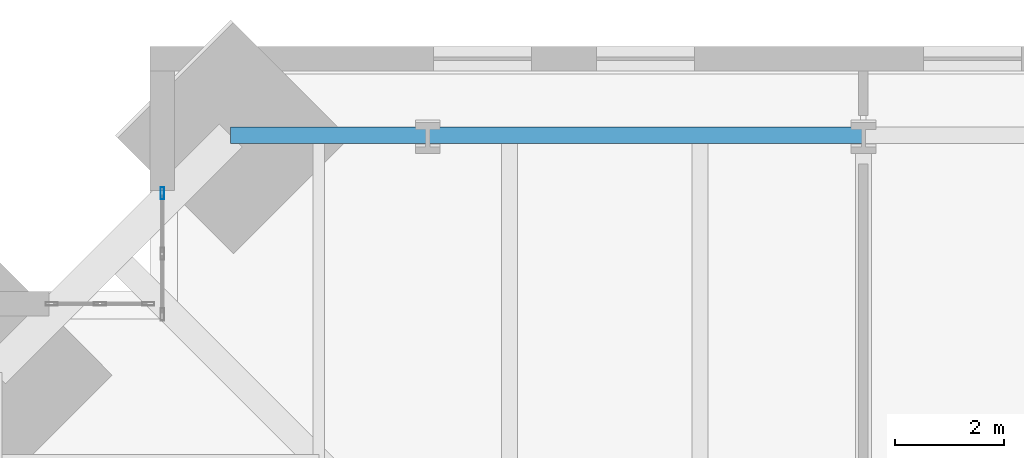
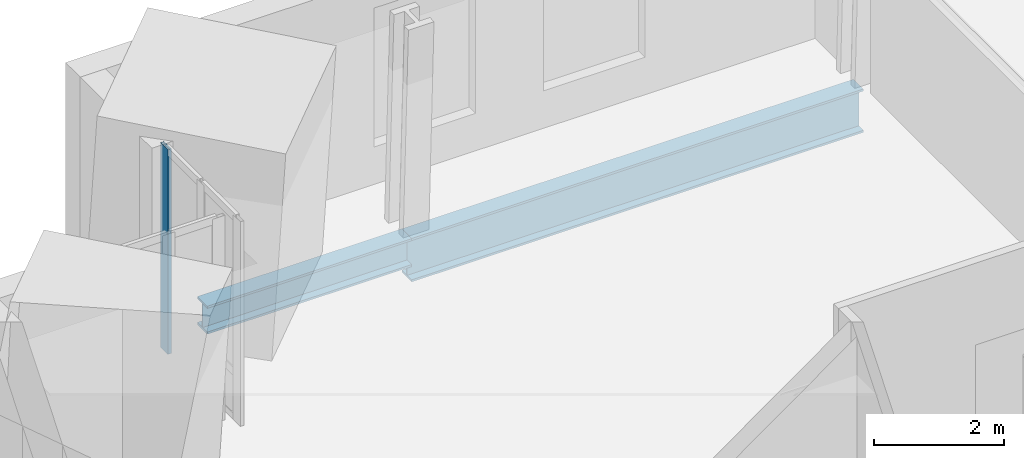
# One storey, part 8 of 18: 2 beams, 1 member, 1 element without a shape of its own.
"""IFC4 building model written with IfcOpenShell, lengths in metres."""

from ifc_helpers import new_model, si_unit, direction, frame, origin, origin_2d, place, context, subcontext, project, spatial, hollow_rectangle, i_section, extrude, material, material_profile, profile_set, type_object, element, aggregate, save


model = new_model("IFC4")

# Units and contexts
model_context = context("Model", 3, precision=1e-05, world=origin(), true_north=direction((0.0, 1.0)))
body_context = subcontext(model_context, "Body", "Model", "MODEL_VIEW")
ifc_project = project(units=[si_unit("LENGTHUNIT", "METRE"), si_unit("AREAUNIT", "SQUARE_METRE"), si_unit("VOLUMEUNIT", "CUBIC_METRE"), si_unit("PLANEANGLEUNIT", "RADIAN"), si_unit("MASSUNIT", "GRAM", prefix="KILO")], contexts=[model_context])

# Site, building, storey
site_placement = place(None, origin())
site = spatial("IfcSite", under=ifc_project, at=site_placement, CompositionType="ELEMENT")
building_placement = place(site_placement, origin())
building = spatial("IfcBuilding", under=site, at=building_placement, Name="Peilmerk Tower", CompositionType="ELEMENT")
storey_placement = place(building_placement, frame((0.0, 0.0, 171.800048828125)))
storey = spatial("IfcBuildingStorey", under=building, at=storey_placement, Name="L36", CompositionType="ELEMENT", Elevation=171.800048828125)

# Beams
ifc_material_1 = material(Name="Steel S355", Category="steel")
ifc_material_profile_1 = material_profile(ifc_material_1, i_section(OverallWidth=0.302978515625, OverallDepth=0.81396484375, WebThickness=0.02099609375, FlangeThickness=0.0400390625, at=origin_2d()), Name="HEM 800")
ifc_profile_set_1 = profile_set([ifc_material_profile_1], Name="Steel S355")
beam_type_1 = type_object("IfcBeamType", Name="B15 HEM 800 edge beam", PredefinedType="SPANDREL", material=ifc_profile_set_1)
beam_1_placement = place(storey_placement, frame((-8.0, 23.96923828125, -0.5771484375), z_axis=(-1.0, 0.0, 0.0), x_axis=(0.0, -1.0, 0.0)))
element("IfcBeam", 1, at=beam_1_placement, inside=storey, type_object=beam_type_1, Name="Edge beam L36", PredefinedType="SPANDREL", context=body_context, shape_type="SweptSolid", body=[
    extrude(i_section(OverallWidth=0.302978515625, OverallDepth=0.81396484375, WebThickness=0.02099609375, FlangeThickness=0.0400390625, at=origin_2d()), origin(), (0.0, 0.0, 1.0), 8.0),
])
ifc_material_profile_2 = material_profile(ifc_material_1, i_section(OverallWidth=0.305908203125, OverallDepth=0.52392578125, WebThickness=0.02099609375, FlangeThickness=0.0400390625, at=origin_2d()), Name="HEM 500")
ifc_profile_set_2 = profile_set([ifc_material_profile_2], Name="Steel S355")
beam_type_2 = type_object("IfcBeamType", Name="B33 HEM 500 edge beam", PredefinedType="SPANDREL", material=ifc_profile_set_2)
beam_2_placement = place(storey_placement, frame((-16.0, 23.96923828125, -0.43212890625), z_axis=(-1.0, 0.0, 0.0), x_axis=(0.0, -1.0, 0.0)))
element("IfcBeam", 2, at=beam_2_placement, inside=storey, type_object=beam_type_2, Name="Edge beam L36", PredefinedType="SPANDREL", context=body_context, shape_type="SweptSolid", body=[
    extrude(i_section(OverallWidth=0.305908203125, OverallDepth=0.52392578125, WebThickness=0.02099609375, FlangeThickness=0.0400390625, at=origin_2d()), origin(), (0.0, 0.0, 1.0), 3.619384765625),
])

# Curtain wall, member
ifc_material_2 = material(Name="Aluminium stick curtain wall", Category="aluminium")
curtain_wall_type = type_object("IfcCurtainWallType", Name="CW3 stick curtain wall, 2250 module", PredefinedType="NOTDEFINED", material=ifc_material_2)
curtain_wall_placement = place(storey_placement, origin())
curtain_wall = element("IfcCurtainWall", 3, at=curtain_wall_placement, inside=storey, type_object=curtain_wall_type, Name="Curtain wall CW3 NWA L36", PredefinedType="NOTDEFINED")
ifc_material_3 = material(Name="Aluminium EN AW-6063 T6", Category="aluminium")
ifc_material_profile_3 = material_profile(ifc_material_3, hollow_rectangle(XDim=0.06494140625, YDim=0.22509765625, WallThickness=0.00390625, at=origin_2d()), Name="AL 225x65x4")
ifc_profile_set_3 = profile_set([ifc_material_profile_3], Name="Aluminium EN AW-6063 T6")
member_type = type_object("IfcMemberType", Name="CW3-M AL 225x65x4 mullion", PredefinedType="MULLION", material=ifc_profile_set_3)
member_placement = place(storey_placement, frame((-20.875, 22.90625, 0.0), z_axis=(0.0, 0.0, 1.0), x_axis=(-1.0, 0.0, 0.0)))
member = element("IfcMember", 4, at=member_placement, type_object=member_type, Name="CW3 mullion 3", PredefinedType="MULLION", context=body_context, shape_type="SweptSolid", body=[
    extrude(hollow_rectangle(XDim=0.06494140625, YDim=0.22509765625, WallThickness=0.00390625, at=origin_2d()), origin(), (0.0, 0.0, 1.0), 3.829833984375),
])
aggregate(curtain_wall, [member])

save(model, "model.ifc")
